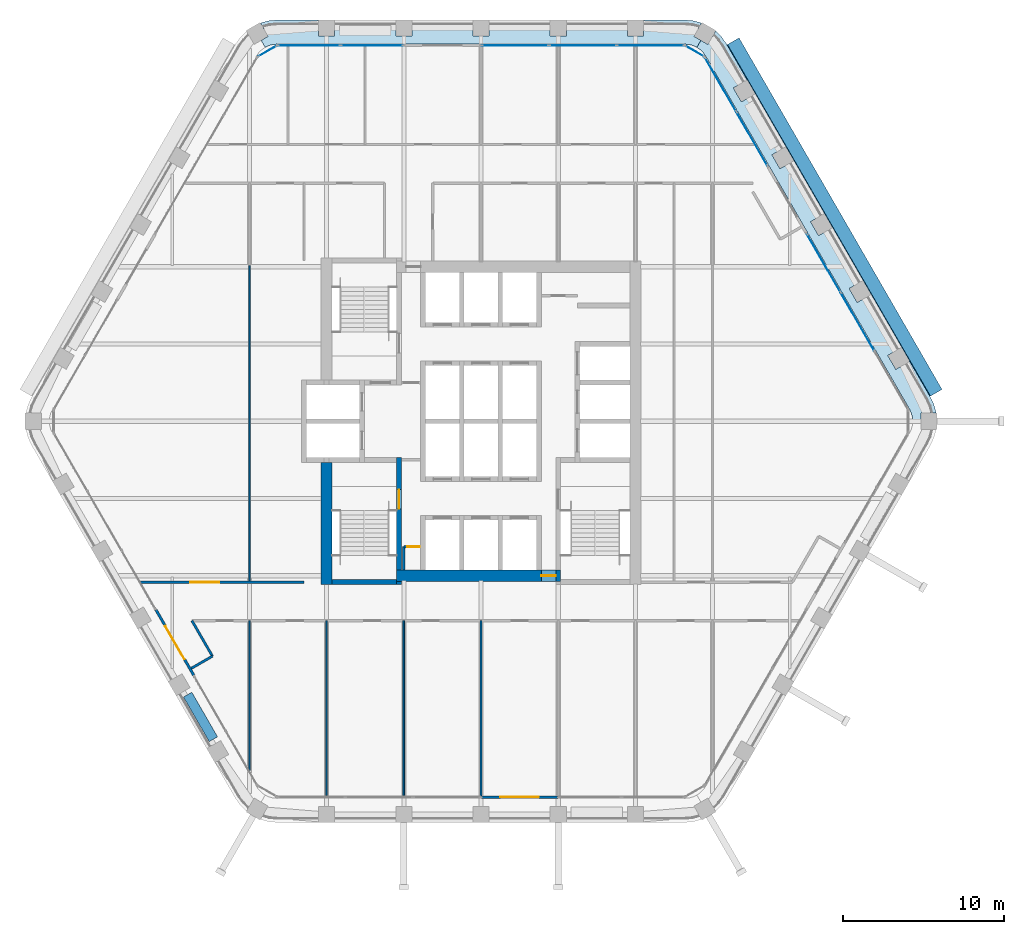
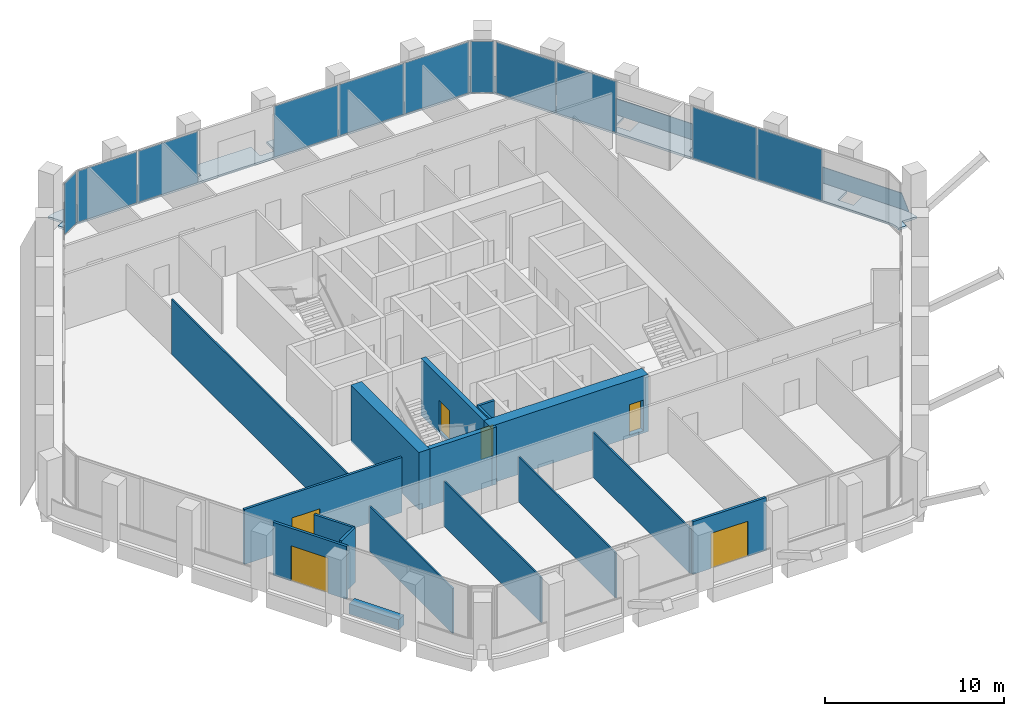
# One storey, part 9 of 16: 18 walls, 12 plates, 6 doors, 2 slabs, 6 openings, 6 elements without a shape of their own.
"""IFC4 building model written with IfcOpenShell, lengths in metres."""

from ifc_helpers import new_model, si_unit, direction, frame, frame_2d, origin, origin_2d, place, context, subcontext, project, spatial, polyline, rectangle, outline, extrude, material, layer, layer_set, type_object, element, fill, aggregate, save


model = new_model("IFC4")

# Units and contexts
model_context = context("Model", 3, precision=1e-05, world=origin(), true_north=direction((0.0, 1.0)))
body_context = subcontext(model_context, "Body", "Model", "MODEL_VIEW")
ifc_project = project(units=[si_unit("LENGTHUNIT", "METRE"), si_unit("AREAUNIT", "SQUARE_METRE"), si_unit("VOLUMEUNIT", "CUBIC_METRE"), si_unit("PLANEANGLEUNIT", "RADIAN"), si_unit("MASSUNIT", "GRAM", prefix="KILO")], contexts=[model_context])

# Site, building, storey
site_placement = place(None, origin())
site = spatial("IfcSite", under=ifc_project, at=site_placement, CompositionType="ELEMENT")
building_placement = place(site_placement, origin())
building = spatial("IfcBuilding", under=site, at=building_placement, Name="Kolab Exchange Tower", CompositionType="ELEMENT")
storey_placement = place(building_placement, frame((0.0, 0.0, 193.39990234375)))
storey = spatial("IfcBuildingStorey", under=building, at=storey_placement, Name="L41", CompositionType="ELEMENT", Elevation=193.39990234375)

# Slabs
ifc_material_1 = material(Name="Concrete C35/45", Category="concrete")
ifc_layer_1 = layer(ifc_material_1, 0.14990234375)
ifc_layer_set_1 = layer_set([ifc_layer_1], Name="Concrete C35/45")
slab_type = type_object("IfcSlabType", Name="LOGGIA SLAB 150", PredefinedType="FLOOR", material=ifc_layer_set_1)
slab_1_placement = place(storey_placement, frame((0.0, 0.0, -0.14990234375)))
element("IfcSlab", 1, at=slab_1_placement, inside=storey, type_object=slab_type, Name="slab/L41/loggia/0-0", PredefinedType="FLOOR", context=body_context, shape_type="SweptSolid", body=[
    extrude(outline(polyline([(13.41796875, 23.240478515625), (13.66796875, 23.673583984375), (13.23486328125, 23.923583984375), (13.713134765625, 24.751708984375), (13.694091796875, 24.760498046875), (13.18896484375, 24.89599609375), (12.66796875, 24.941650390625), (10.10009765625, 24.941650390625), (10.10009765625, 23.941650390625), (9.10009765625, 23.941650390625), (9.10009765625, 24.941650390625), (5.300048828125, 24.941650390625), (5.300048828125, 23.941650390625), (4.300048828125, 23.941650390625), (4.300048828125, 24.941650390625), (0.5, 24.941650390625), (0.5, 23.941650390625), (-0.5, 23.941650390625), (-0.5, 24.941650390625), (-4.300048828125, 24.941650390625), (-4.300048828125, 23.941650390625), (-5.300048828125, 23.941650390625), (-5.300048828125, 24.941650390625), (-9.10009765625, 24.941650390625), (-9.10009765625, 23.941650390625), (-10.10009765625, 23.941650390625), (-10.10009765625, 24.941650390625), (-12.66796875, 24.941650390625), (-13.18896484375, 24.89599609375), (-13.694091796875, 24.760498046875), (-13.713134765625, 24.751708984375), (-13.23486328125, 23.923583984375), (-13.66796875, 23.673583984375), (-13.41796875, 23.240478515625), (-13.180908203125, 23.35107421875), (-12.928466796875, 23.418701171875), (-12.66796875, 23.441650390625), (12.66796875, 23.441650390625), (12.928466796875, 23.418701171875), (13.180908203125, 23.35107421875), (13.41796875, 23.240478515625)])), origin(), (0.0, 0.0, 1.0), 0.14990234375),
])
slab_2_placement = place(storey_placement, frame((0.0, 0.0, -0.14990234375)))
element("IfcSlab", 2, at=slab_2_placement, inside=storey, type_object=slab_type, Name="slab/L41/loggia/1-0", PredefinedType="FLOOR", context=body_context, shape_type="SweptSolid", body=[
    extrude(outline(polyline([(26.8359375, 0.0), (27.3359375, 0.0), (27.3359375, 0.5), (28.292236328125, 0.5), (28.290283203125, 0.52099609375), (28.155029296875, 1.026123046875), (27.93408203125, 1.5), (26.64990234375, 3.723876953125), (25.783935546875, 3.223876953125), (25.283935546875, 4.08984375), (26.14990234375, 4.58984375), (24.25, 7.880859375), (23.384033203125, 7.380859375), (22.884033203125, 8.246826171875), (23.75, 8.746826171875), (21.85009765625, 12.037841796875), (20.98388671875, 11.537841796875), (20.48388671875, 12.40380859375), (21.35009765625, 12.90380859375), (19.449951171875, 16.194580078125), (18.583984375, 15.694580078125), (18.083984375, 16.560791015625), (18.949951171875, 17.060791015625), (17.050048828125, 20.3515625), (16.18408203125, 19.8515625), (15.68408203125, 20.717529296875), (16.550048828125, 21.217529296875), (15.26611328125, 23.441650390625), (14.966064453125, 23.869873046875), (14.59619140625, 24.23974609375), (14.5791015625, 24.251708984375), (14.10107421875, 23.423583984375), (13.66796875, 23.673583984375), (13.41796875, 23.240478515625), (13.632080078125, 23.090576171875), (13.81689453125, 22.90576171875), (13.967041015625, 22.691650390625), (26.635009765625, 0.75), (26.745361328125, 0.512939453125), (26.81298828125, 0.260498046875), (26.8359375, 0.0)])), origin(), (0.0, 0.0, 1.0), 0.14990234375),
])

# Plate
ifc_material_2 = material(Name="Laminated glass, clear", Category="glass")
ifc_layer_2 = layer(ifc_material_2, 0.0400390625)
ifc_layer_set_2 = layer_set([ifc_layer_2], Name="Laminated glass, clear")
plate_type_1 = type_object("IfcPlateType", Name="OUTER SKIN LAMINATED GLASS SHEET 40", PredefinedType="SHEET", material=ifc_layer_set_2)
plate_1_placement = place(storey_placement, frame((16.040283203125, 23.830810546875, -0.68310546875), z_axis=(0.784898656704, 0.453161865271, 0.422585402693), x_axis=(0.499999968995, -0.866025421685, 9.26315e-07)))
element("IfcPlate", 3, at=plate_1_placement, inside=storey, type_object=plate_type_1, Name="Outer skin", PredefinedType="SHEET", context=body_context, shape_type="SweptSolid", body=[
    extrude(outline(polyline([(0.0, 0.0), (25.23592824607872, 0.0), (25.235843279343595, -1.9612922777250177), (0.00012646525258337368, -1.961343862676479), (0.0, 0.0)])), origin(), (0.0, 0.0, -1.0), 0.0400390625),
])

# Curtain wall, plates
ifc_material_3 = material(Name="Aluminium EN AW-6063 T6", Category="aluminium")
curtain_wall_type = type_object("IfcCurtainWallType", Name="UNITISED UPPER MID ZONE CURTAIN WALL", PredefinedType="NOTDEFINED", material=ifc_material_3)
curtain_wall_1_placement = place(storey_placement, origin())
curtain_wall_1 = element("IfcCurtainWall", 4, at=curtain_wall_1_placement, inside=storey, type_object=curtain_wall_type, Name="cw/L41/F1-1", PredefinedType="NOTDEFINED")
ifc_material_4 = material(Name="Clear insulated glazing unit", Category="glass")
ifc_layer_3 = layer(ifc_material_4, 0.028076171875)
ifc_layer_set_3 = layer_set([ifc_layer_3], Name="Clear insulated glazing unit")
plate_type_2 = type_object("IfcPlateType", Name="UNITISED UPPER MID ZONE GLASS PANEL 28", PredefinedType="CURTAIN_PANEL", material=ifc_layer_set_3)
plate_2_placement = place(storey_placement, frame((-10.68603515625, 23.361572265625, 0.06005859375), z_axis=(0.0, 0.0, 1.0), x_axis=(1.0, 0.0, 0.0)))
plate_2 = element("IfcPlate", 5, at=plate_2_placement, type_object=plate_type_2, Name="CW3 panel 1.1", PredefinedType="CURTAIN_PANEL", context=body_context, shape_type="SweptSolid", body=[
    extrude(rectangle(XDim=3.843994140625, YDim=0.028076171875, at=origin_2d()), origin(), (0.0, 0.0, 1.0), 3.47998046875),
])
plate_3_placement = place(storey_placement, frame((-6.781982421875, 23.361572265625, 0.06005859375), z_axis=(0.0, 0.0, 1.0), x_axis=(1.0, 0.0, 0.0)))
plate_3 = element("IfcPlate", 6, at=plate_3_placement, type_object=plate_type_2, Name="CW3 panel 2.1", PredefinedType="CURTAIN_PANEL", context=body_context, shape_type="SweptSolid", body=[
    extrude(rectangle(XDim=3.843994140625, YDim=0.028076171875, at=origin_2d()), origin(), (0.0, 0.0, 1.0), 3.47998046875),
])
aggregate(curtain_wall_1, [plate_2, plate_3])

curtain_wall_2_placement = place(storey_placement, origin())
curtain_wall_2 = element("IfcCurtainWall", 7, at=curtain_wall_2_placement, inside=storey, type_object=curtain_wall_type, Name="cw/L41/F1-2", PredefinedType="NOTDEFINED")
plate_4_placement = place(storey_placement, frame((2.126220703125, 23.361572265625, 0.06005859375), z_axis=(0.0, 0.0, 1.0), x_axis=(1.0, 0.0, 0.0)))
plate_4 = element("IfcPlate", 8, at=plate_4_placement, type_object=plate_type_2, Name="CW3 panel 1.1", PredefinedType="CURTAIN_PANEL", context=body_context, shape_type="SweptSolid", body=[
    extrude(rectangle(XDim=4.132568359375, YDim=0.028076171875, at=origin_2d()), origin(), (0.0, 0.0, 1.0), 3.47998046875),
])
plate_5_placement = place(storey_placement, frame((6.333984375, 23.361572265625, 0.06005859375), z_axis=(0.0, 0.0, 1.0), x_axis=(1.0, 0.0, 0.0)))
plate_5 = element("IfcPlate", 9, at=plate_5_placement, type_object=plate_type_2, Name="CW3 panel 2.1", PredefinedType="CURTAIN_PANEL", context=body_context, shape_type="SweptSolid", body=[
    extrude(rectangle(XDim=4.16259765625, YDim=0.028076171875, at=origin_2d()), origin(), (0.0, 0.0, 1.0), 3.47998046875),
])
plate_6_placement = place(storey_placement, frame((10.54150390625, 23.361572265625, 0.06005859375), z_axis=(0.0, 0.0, 1.0), x_axis=(1.0, 0.0, 0.0)))
plate_6 = element("IfcPlate", 10, at=plate_6_placement, type_object=plate_type_2, Name="CW3 panel 3.1", PredefinedType="CURTAIN_PANEL", context=body_context, shape_type="SweptSolid", body=[
    extrude(rectangle(XDim=4.132568359375, YDim=0.028076171875, at=origin_2d()), origin(), (0.0, 0.0, 1.0), 3.47998046875),
])
aggregate(curtain_wall_2, [plate_4, plate_5, plate_6])

curtain_wall_3_placement = place(storey_placement, origin())
curtain_wall_3 = element("IfcCurtainWall", 11, at=curtain_wall_3_placement, inside=storey, type_object=curtain_wall_type, Name="cw/L41/F2-1", PredefinedType="NOTDEFINED")
plate_7_placement = place(storey_placement, frame((14.888671875, 20.93505859375, 0.06005859375), z_axis=(0.0, 0.0, 1.0), x_axis=(0.500000031681, -0.866025385493, 0.0)))
plate_7 = element("IfcPlate", 12, at=plate_7_placement, type_object=plate_type_2, Name="CW3 panel 1.1", PredefinedType="CURTAIN_PANEL", context=body_context, shape_type="SweptSolid", body=[
    extrude(rectangle(XDim=3.843994140625, YDim=0.028076171875, at=origin_2d()), origin(), (0.0, 0.0, 1.0), 3.47998046875),
])
plate_8_placement = place(storey_placement, frame((16.840576171875, 17.55419921875, 0.06005859375), z_axis=(0.0, 0.0, 1.0), x_axis=(0.500000031681, -0.866025385493, 0.0)))
plate_8 = element("IfcPlate", 13, at=plate_8_placement, type_object=plate_type_2, Name="CW3 panel 2.1", PredefinedType="CURTAIN_PANEL", context=body_context, shape_type="SweptSolid", body=[
    extrude(rectangle(XDim=3.843994140625, YDim=0.028076171875, at=origin_2d()), origin(), (0.0, 0.0, 1.0), 3.47998046875),
])
aggregate(curtain_wall_3, [plate_7, plate_8])

curtain_wall_4_placement = place(storey_placement, origin())
curtain_wall_4 = element("IfcCurtainWall", 14, at=curtain_wall_4_placement, inside=storey, type_object=curtain_wall_type, Name="cw/L41/F2-2", PredefinedType="NOTDEFINED")
plate_9_placement = place(storey_placement, frame((21.294921875, 9.83935546875, 0.06005859375), z_axis=(0.0, 0.0, 1.0), x_axis=(0.499999958358, -0.866025427826, 0.0)))
plate_9 = element("IfcPlate", 15, at=plate_9_placement, type_object=plate_type_2, Name="CW3 panel 1.1", PredefinedType="CURTAIN_PANEL", context=body_context, shape_type="SweptSolid", body=[
    extrude(rectangle(XDim=4.132568359375, YDim=0.028076171875, at=origin_2d()), origin(), (0.0, 0.0, 1.0), 3.47998046875),
])
plate_10_placement = place(storey_placement, frame((23.398681640625, 6.1953125, 0.06005859375), z_axis=(0.0, 0.0, 1.0), x_axis=(0.499999958358, -0.866025427826, 0.0)))
plate_10 = element("IfcPlate", 16, at=plate_10_placement, type_object=plate_type_2, Name="CW3 panel 2.1", PredefinedType="CURTAIN_PANEL", context=body_context, shape_type="SweptSolid", body=[
    extrude(rectangle(XDim=4.16259765625, YDim=0.028076171875, at=origin_2d()), origin(), (0.0, 0.0, 1.0), 3.47998046875),
])
aggregate(curtain_wall_4, [plate_9, plate_10])

# Curtain wall, plate
curtain_wall_5_placement = place(storey_placement, origin())
curtain_wall_5 = element("IfcCurtainWall", 17, at=curtain_wall_5_placement, inside=storey, type_object=curtain_wall_type, Name="cw/L41/F1F2-corner", PredefinedType="NOTDEFINED")
plate_11_placement = place(storey_placement, frame((13.28271484375, 23.006591796875, 0.06005859375), z_axis=(0.0, 0.0, 1.0), x_axis=(0.866025390869, -0.50000002237, 0.0)))
plate_11 = element("IfcPlate", 18, at=plate_11_placement, type_object=plate_type_2, Name="CW3 panel 1.1", PredefinedType="CURTAIN_PANEL", context=body_context, shape_type="SweptSolid", body=[
    extrude(rectangle(XDim=1.300048828125, YDim=0.028076171875, at=origin_2d()), origin(), (0.0, 0.0, 1.0), 3.47998046875),
])
aggregate(curtain_wall_5, [plate_11])

curtain_wall_6_placement = place(storey_placement, origin())
curtain_wall_6 = element("IfcCurtainWall", 19, at=curtain_wall_6_placement, inside=storey, type_object=curtain_wall_type, Name="cw/L41/F6F1-corner", PredefinedType="NOTDEFINED")
plate_12_placement = place(storey_placement, frame((-13.28271484375, 23.006591796875, 0.06005859375), z_axis=(0.0, 0.0, 1.0), x_axis=(0.866025390869, 0.50000002237, 0.0)))
plate_12 = element("IfcPlate", 20, at=plate_12_placement, type_object=plate_type_2, Name="CW3 panel 1.1", PredefinedType="CURTAIN_PANEL", context=body_context, shape_type="SweptSolid", body=[
    extrude(rectangle(XDim=1.300048828125, YDim=0.028076171875, at=origin_2d()), origin(), (0.0, 0.0, 1.0), 3.47998046875),
])
aggregate(curtain_wall_6, [plate_12])

# Wall, opening, door
ifc_material_5 = material(Name="Concrete C60/75", Category="concrete")
ifc_layer_4 = layer(ifc_material_5, 0.699951171875)
ifc_layer_set_4 = layer_set([ifc_layer_4], Name="Concrete C60/75")
wall_type_1 = type_object("IfcWallType", Name="CORE WALL 700 C60/75", PredefinedType="SHEAR", material=ifc_layer_set_4)
wall_1_placement = place(storey_placement, frame((-5.25, -9.60009765625, -0.14990234375), z_axis=(0.0, 0.0, 1.0), x_axis=(1.0, 0.0, 0.0)))
wall_1 = element("IfcWall", 21, at=wall_1_placement, inside=storey, type_object=wall_type_1, Name="wall/L41/core/002", PredefinedType="SHEAR", context=body_context, shape_type="SweptSolid", body=[
    extrude(rectangle(XDim=10.199951171875, YDim=0.699951171875, at=frame_2d((5.10009765625, 0.0))), origin(), (0.0, 0.0, 1.0), 3.89990234375),
])
opening_1_placement = place(wall_1_placement, frame((9.0, 0.0, 0.14990234375)))
opening_1 = element("IfcOpeningElement", 22, at=opening_1_placement, cuts=wall_1, Name="Opening D6-287", PredefinedType="OPENING", context=body_context, shape_type="SweptSolid", body=[
    extrude(rectangle(XDim=0.89990234375, YDim=2.10009765625, at=frame_2d((0.449951171875, 1.050048828125))), frame((0.0, 0.35986328125, 0.0), z_axis=(0.0, -1.0, 0.0), x_axis=(1.0, 0.0, 0.0)), (0.0, 0.0, 1.0), 0.719970703125),
])
ifc_material_6 = material(Name="Steel S235", Category="steel")
door_type_1 = type_object("IfcDoorType", Name="CORE DOOR 900 EI 120", OperationType="SINGLE_SWING_LEFT", PredefinedType="DOOR", material=ifc_material_6)
door_1_placement = place(opening_1_placement, origin())
door_1 = element("IfcDoor", 23, at=door_1_placement, inside=storey, type_object=door_type_1, Name="Core lobby door", OperationType="SINGLE_SWING_LEFT", OverallHeight=2.10009765625, OverallWidth=0.89990234375, PredefinedType="DOOR", context=body_context, shape_type="SweptSolid", body=[
    extrude(rectangle(XDim=0.89990234375, YDim=2.10009765625, at=frame_2d((0.449951171875, 1.050048828125))), frame((0.0, 0.02490234375, 0.0), z_axis=(0.0, -1.0, 0.0), x_axis=(1.0, 0.0, 0.0)), (0.0, 0.0, 1.0), 0.050048828125),
])
fill(opening_1, door_1)

# Wall
wall_2_placement = place(storey_placement, frame((-9.60009765625, -10.14990234375, -0.14990234375), z_axis=(0.0, 0.0, 1.0), x_axis=(0.0, 1.0, 0.0)))
element("IfcWall", 24, at=wall_2_placement, inside=storey, type_object=wall_type_1, Name="wall/L41/core/034", PredefinedType="SHEAR", context=body_context, shape_type="SweptSolid", body=[
    extrude(rectangle(XDim=7.599853515625, YDim=0.699951171875, at=frame_2d((3.7998046875, 0.0))), origin(), (0.0, 0.0, 1.0), 3.89990234375),
])

# Wall, opening, door
ifc_layer_5 = layer(ifc_material_3, 0.159912109375)
ifc_layer_set_5 = layer_set([ifc_layer_5], Name="Aluminium EN AW-6063 T6")
wall_type_2 = type_object("IfcWallType", Name="DOOR SURROUND WALL 160 ALUMINIUM FRAMED", PredefinedType="PARTITIONING", material=ifc_layer_set_5)
wall_3_placement = place(storey_placement, frame((4.77001953125, -23.361572265625, 0.0), z_axis=(0.0, 0.0, 1.0), x_axis=(-1.0, 0.0, 0.0)))
wall_3 = element("IfcWall", 25, at=wall_3_placement, inside=storey, type_object=wall_type_2, Name="Door surround wall", PredefinedType="PARTITIONING", context=body_context, shape_type="SweptSolid", body=[
    extrude(rectangle(XDim=4.739990234375, YDim=0.159912109375, at=frame_2d((2.3701171875, 0.0))), origin(), (0.0, 0.0, 1.0), 3.60009765625),
])
opening_2_placement = place(wall_3_placement, frame((1.169921875, 0.0, 0.0)))
opening_2 = element("IfcOpeningElement", 26, at=opening_2_placement, cuts=wall_3, Name="Opening GD1-073", PredefinedType="OPENING", context=body_context, shape_type="SweptSolid", body=[
    extrude(rectangle(XDim=2.39990234375, YDim=2.39990234375, at=frame_2d((1.199951171875, 1.199951171875))), frame((0.0, 0.08984375, 0.0), z_axis=(0.0, -1.0, 0.0), x_axis=(1.0, 0.0, 0.0)), (0.0, 0.0, 1.0), 0.179931640625),
])
door_type_2 = type_object("IfcDoorType", Name="LOGGIA SLIDING GLASS DOOR 2400 X 2400", OperationType="DOUBLE_DOOR_SINGLE_SWING", PredefinedType="DOOR", material=ifc_material_3)
door_2_placement = place(opening_2_placement, origin())
door_2 = element("IfcDoor", 27, at=door_2_placement, inside=storey, type_object=door_type_2, Name="Loggia door", OperationType="DOUBLE_DOOR_SLIDING", OverallHeight=2.39990234375, OverallWidth=2.39990234375, PredefinedType="DOOR", context=body_context, shape_type="SweptSolid", body=[
    extrude(rectangle(XDim=2.39990234375, YDim=2.39990234375, at=frame_2d((1.199951171875, 1.199951171875))), frame((0.0, 0.02490234375, 0.0), z_axis=(0.0, -1.0, 0.0), x_axis=(1.0, 0.0, 0.0)), (0.0, 0.0, 1.0), 0.050048828125),
])
fill(opening_2, door_2)

wall_4_placement = place(storey_placement, frame((-17.8466796875, -15.811767578125, 0.0), z_axis=(0.0, 0.0, 1.0), x_axis=(-0.5000167099, 0.866015756104, 0.0)))
wall_4 = element("IfcWall", 28, at=wall_4_placement, inside=storey, type_object=wall_type_2, Name="Door surround wall", PredefinedType="PARTITIONING", context=body_context, shape_type="SweptSolid", body=[
    extrude(rectangle(XDim=4.739990234375, YDim=0.159912109375, at=frame_2d((2.3701171875, 0.0))), origin(), (0.0, 0.0, 1.0), 3.60009765625),
])
opening_3_placement = place(wall_4_placement, frame((1.169921875, 0.0, 0.0)))
opening_3 = element("IfcOpeningElement", 29, at=opening_3_placement, cuts=wall_4, Name="Opening GD1-074", PredefinedType="OPENING", context=body_context, shape_type="SweptSolid", body=[
    extrude(rectangle(XDim=2.39990234375, YDim=2.39990234375, at=frame_2d((1.199951171875, 1.199951171875))), frame((0.0, 0.08984375, 0.0), z_axis=(0.0, -1.0, 0.0), x_axis=(1.0, 0.0, 0.0)), (0.0, 0.0, 1.0), 0.179931640625),
])
door_3_placement = place(opening_3_placement, origin())
door_3 = element("IfcDoor", 30, at=door_3_placement, inside=storey, type_object=door_type_2, Name="Loggia door", OperationType="DOUBLE_DOOR_SLIDING", OverallHeight=2.39990234375, OverallWidth=2.39990234375, PredefinedType="DOOR", context=body_context, shape_type="SweptSolid", body=[
    extrude(rectangle(XDim=2.39990234375, YDim=2.39990234375, at=frame_2d((1.199951171875, 1.199951171875))), frame((0.0, 0.02490234375, 0.0), z_axis=(0.0, -1.0, 0.0), x_axis=(1.0, 0.0, 0.0)), (0.0, 0.0, 1.0), 0.050048828125),
])
fill(opening_3, door_3)

# Walls
ifc_material_7 = material(Name="Gypsum board", Category="gypsum")
ifc_layer_6 = layer(ifc_material_7, 0.10009765625)
ifc_layer_set_6 = layer_set([ifc_layer_6], Name="Gypsum board")
wall_type_3 = type_object("IfcWallType", Name="PARTITION 100", PredefinedType="PARTITIONING", material=ifc_layer_set_6)
wall_5_placement = place(storey_placement, frame((0.0, -23.281494140625, 0.0), z_axis=(0.0, 0.0, 1.0), x_axis=(0.0, 1.0, 0.0)))
element("IfcWall", 31, at=wall_5_placement, inside=storey, type_object=wall_type_3, Name="Partition 009", PredefinedType="PARTITIONING", context=body_context, shape_type="SweptSolid", body=[
    extrude(rectangle(XDim=10.881591796875, YDim=0.10009765625, at=frame_2d((5.44091796875, 0.0))), origin(), (0.0, 0.0, 1.0), 3.066162109375),
])
for number, where, z_axis, x_axis, name in (
    (32, (-4.800048828125, -23.271484375, 0.0), (0.0, 0.0, 1.0), (0.0, 1.0, 0.0), "Partition 013"),
    (33, (-9.60009765625, -23.271484375, 0.0), (0.0, 0.0, 1.0), (0.0, 1.0, 0.0), "Partition 017"),
):
    element("IfcWall", number, at=place(storey_placement, frame(where, z_axis=z_axis, x_axis=x_axis)), inside=storey, type_object=wall_type_3, Name=name, PredefinedType="PARTITIONING", context=body_context, shape_type="SweptSolid", body=[
        extrude(rectangle(XDim=10.87158203125, YDim=0.10009765625, at=frame_2d((5.435791015625, 0.0))), origin(), (0.0, 0.0, 1.0), 3.066162109375),
    ])
wall_6_placement = place(storey_placement, frame((-14.39990234375, -21.701416015625, 0.0), z_axis=(0.0, 0.0, 1.0), x_axis=(0.0, 1.0, 0.0)))
element("IfcWall", 34, at=wall_6_placement, inside=storey, type_object=wall_type_3, Name="Partition 020", PredefinedType="PARTITIONING", context=body_context, shape_type="SweptSolid", body=[
    extrude(rectangle(XDim=9.301513671875, YDim=0.10009765625, at=frame_2d((4.65087890625, 0.0))), origin(), (0.0, 0.0, 1.0), 3.066162109375),
])
wall_7_placement = place(storey_placement, frame((-14.39990234375, -10.0, 0.0), z_axis=(0.0, 0.0, 1.0), x_axis=(0.0, 1.0, 0.0)))
element("IfcWall", 35, at=wall_7_placement, inside=storey, type_object=wall_type_3, Name="Partition 021", PredefinedType="PARTITIONING", context=body_context, shape_type="SweptSolid", body=[
    extrude(rectangle(XDim=19.693603515625, YDim=0.10009765625, at=frame_2d((9.8466796875, 0.0))), origin(), (0.0, 0.0, 1.0), 3.75),
])
ifc_layer_7 = layer(ifc_material_7, 0.14990234375)
ifc_layer_set_7 = layer_set([ifc_layer_7], Name="Gypsum board")
wall_type_4 = type_object("IfcWallType", Name="PARTITION 150 FIRE-RATED", PredefinedType="PARTITIONING", material=ifc_layer_set_7)
wall_8_placement = place(storey_placement, frame((-4.800048828125, -9.25, 0.0), z_axis=(0.0, 0.0, 1.0), x_axis=(0.0, 1.0, 0.0)))
element("IfcWall", 36, at=wall_8_placement, inside=storey, type_object=wall_type_4, Name="Partition 014", PredefinedType="PARTITIONING", context=body_context, shape_type="SweptSolid", body=[
    extrude(rectangle(XDim=1.449951171875, YDim=0.14990234375, at=frame_2d((0.72509765625, 0.0))), origin(), (0.0, 0.0, 1.0), 3.75),
])
wall_9_placement = place(storey_placement, frame((-17.968994140625, -12.39990234375, 0.0), z_axis=(0.0, 0.0, 1.0), x_axis=(0.499996383721, -0.866027491634, 0.0)))
element("IfcWall", 37, at=wall_9_placement, inside=storey, type_object=wall_type_4, Name="Partition 022", PredefinedType="PARTITIONING", context=body_context, shape_type="SweptSolid", body=[
    extrude(rectangle(XDim=2.5458984375, YDim=0.14990234375, at=frame_2d((1.27294921875, 0.0))), origin(), (0.0, 0.0, 1.0), 3.75),
])
wall_10_placement = place(storey_placement, frame((-18.012451171875, -15.36474609375, 0.0), z_axis=(0.0, 0.0, 1.0), x_axis=(0.866030456496, 0.499991248344, 0.0)))
element("IfcWall", 38, at=wall_10_placement, inside=storey, type_object=wall_type_4, Name="Partition 026", PredefinedType="PARTITIONING", context=body_context, shape_type="SweptSolid", body=[
    extrude(rectangle(XDim=1.52001953125, YDim=0.14990234375, at=frame_2d((0.760009765625, 0.0))), origin(), (0.0, 0.0, 1.0), 3.75),
])

# Wall, opening, door
wall_11_placement = place(storey_placement, frame((-21.156005859375, -10.0, 0.0), z_axis=(0.0, 0.0, 1.0), x_axis=(1.0, 0.0, 0.0)))
wall_11 = element("IfcWall", 39, at=wall_11_placement, inside=storey, type_object=wall_type_4, Name="Partition 029", PredefinedType="PARTITIONING", context=body_context, shape_type="SweptSolid", body=[
    extrude(rectangle(XDim=10.156005859375, YDim=0.14990234375, at=frame_2d((5.078125, 0.0))), origin(), (0.0, 0.0, 1.0), 3.75),
])
opening_4_placement = place(wall_11_placement, frame((3.082763671875, 0.0, 0.0)))
opening_4 = element("IfcOpeningElement", 40, at=opening_4_placement, cuts=wall_11, Name="Opening D2-047", PredefinedType="OPENING", context=body_context, shape_type="SweptSolid", body=[
    extrude(rectangle(XDim=1.800048828125, YDim=2.10009765625, at=frame_2d((0.89990234375, 1.050048828125))), frame((0.0, 0.0849609375, 0.0), z_axis=(0.0, -1.0, 0.0), x_axis=(1.0, 0.0, 0.0)), (0.0, 0.0, 1.0), 0.169921875),
])
door_type_3 = type_object("IfcDoorType", Name="DOUBLE DOOR 1800 FD60", OperationType="DOUBLE_DOOR_SINGLE_SWING", PredefinedType="DOOR", material=ifc_material_6)
door_4_placement = place(opening_4_placement, origin())
door_4 = element("IfcDoor", 41, at=door_4_placement, inside=storey, type_object=door_type_3, Name="Door L41-051", OperationType="SINGLE_SWING_RIGHT", OverallHeight=2.10009765625, OverallWidth=1.800048828125, PredefinedType="DOOR", context=body_context, shape_type="SweptSolid", body=[
    extrude(rectangle(XDim=1.800048828125, YDim=2.10009765625, at=frame_2d((0.89990234375, 1.050048828125))), frame((0.0, 0.02490234375, 0.0), z_axis=(0.0, -1.0, 0.0), x_axis=(1.0, 0.0, 0.0)), (0.0, 0.0, 1.0), 0.050048828125),
])
fill(opening_4, door_4)

wall_12_placement = place(storey_placement, frame((-4.800048828125, -7.800048828125, 0.0), z_axis=(0.0, 0.0, 1.0), x_axis=(1.0, 0.0, 0.0)))
wall_12 = element("IfcWall", 42, at=wall_12_placement, inside=storey, type_object=wall_type_4, Name="Partition 031", PredefinedType="PARTITIONING", context=body_context, shape_type="SweptSolid", body=[
    extrude(rectangle(XDim=1.050048828125, YDim=0.14990234375, at=frame_2d((0.52490234375, 0.0))), origin(), (0.0, 0.0, 1.0), 3.75),
])
opening_5_placement = place(wall_12_placement, frame((0.199951171875, 0.0, 0.0)))
opening_5 = element("IfcOpeningElement", 43, at=opening_5_placement, cuts=wall_12, Name="Opening D7-031", PredefinedType="OPENING", context=body_context, shape_type="SweptSolid", body=[
    extrude(rectangle(XDim=0.800048828125, YDim=2.10009765625, at=frame_2d((0.39990234375, 1.050048828125))), frame((0.0, 0.0849609375, 0.0), z_axis=(0.0, -1.0, 0.0), x_axis=(1.0, 0.0, 0.0)), (0.0, 0.0, 1.0), 0.169921875),
])
door_type_4 = type_object("IfcDoorType", Name="FLUSH DOOR 800 FD60", OperationType="SINGLE_SWING_LEFT", PredefinedType="DOOR", material=ifc_material_6)
door_5_placement = place(opening_5_placement, frame((0.800048828125, 0.0, 0.0), z_axis=(0.0, 0.0, 1.0), x_axis=(-1.0, 0.0, 0.0)))
door_5 = element("IfcDoor", 44, at=door_5_placement, inside=storey, type_object=door_type_4, Name="Door L41-024", OperationType="SINGLE_SWING_RIGHT", OverallHeight=2.10009765625, OverallWidth=0.800048828125, PredefinedType="DOOR", context=body_context, shape_type="SweptSolid", body=[
    extrude(rectangle(XDim=0.800048828125, YDim=2.10009765625, at=frame_2d((0.39990234375, 1.050048828125))), frame((0.0, 0.02490234375, 0.0), z_axis=(0.0, -1.0, 0.0), x_axis=(1.0, 0.0, 0.0)), (0.0, 0.0, 1.0), 0.050048828125),
])
fill(opening_5, door_5)

# Walls
ifc_material_8 = material(Name="Granite facing", Category="masonry")
ifc_layer_8 = layer(ifc_material_8, 0.0400390625)
ifc_material_9 = material(Name="Concrete C40/50 precast", Category="concrete")
ifc_layer_9 = layer(ifc_material_9, 0.56005859375)
ifc_layer_set_8 = layer_set([ifc_layer_8, ifc_layer_9], Name="Concrete C40/50 precast")
wall_type_5 = type_object("IfcWallType", Name="PLANTER BOX 600 X 700 SOIL DEPTH 550", PredefinedType="USERDEFINED", material=ifc_layer_set_8)
wall_13_placement = place(storey_placement, frame((-16.636962890625, -19.766845703125, 0.0), z_axis=(0.0, 0.0, 1.0), x_axis=(-0.500028443584, 0.866008981251, 0.0)))
element("IfcWall", 45, at=wall_13_placement, inside=storey, type_object=wall_type_5, Name="Planter", ObjectType="PLANTER", PredefinedType="USERDEFINED", context=body_context, shape_type="SweptSolid", body=[
    extrude(rectangle(XDim=3.199951171875, YDim=0.60009765625, at=frame_2d((1.60009765625, 0.0))), origin(), (0.0, 0.0, 1.0), 0.7001953125),
])
ifc_material_10 = material(Name="Concrete C50/60", Category="concrete")
ifc_layer_10 = layer(ifc_material_10, 0.300048828125)
ifc_layer_set_9 = layer_set([ifc_layer_10], Name="Concrete C50/60")
wall_type_6 = type_object("IfcWallType", Name="STAIR ENCLOSURE WALL 300 C50/60", PredefinedType="STANDARD", material=ifc_layer_set_9)
wall_14_placement = place(storey_placement, frame((-9.25, -10.0, -0.14990234375), z_axis=(0.0, 0.0, 1.0), x_axis=(1.0, 0.0, 0.0)))
element("IfcWall", 46, at=wall_14_placement, inside=storey, type_object=wall_type_6, Name="wall/L41/core/000", PredefinedType="STANDARD", context=body_context, shape_type="SweptSolid", body=[
    extrude(rectangle(XDim=4.0, YDim=0.300048828125, at=frame_2d((2.0, 0.0))), origin(), (0.0, 0.0, 1.0), 3.89990234375),
])
wall_15_placement = place(storey_placement, frame((-5.10009765625, -10.14990234375, -0.14990234375), z_axis=(0.0, 0.0, 1.0), x_axis=(0.0, 1.0, 0.0)))
element("IfcWall", 47, at=wall_15_placement, inside=storey, type_object=wall_type_6, Name="wall/L41/core/039", PredefinedType="STANDARD", context=body_context, shape_type="SweptSolid", body=[
    extrude(rectangle(XDim=0.199951171875, YDim=0.300048828125, at=frame_2d((0.10009765625, 0.0))), origin(), (0.0, 0.0, 1.0), 3.89990234375),
])

# Wall, opening, door
wall_16_placement = place(storey_placement, frame((-5.10009765625, -9.25, -0.14990234375), z_axis=(0.0, 0.0, 1.0), x_axis=(0.0, 1.0, 0.0)))
wall_16 = element("IfcWall", 48, at=wall_16_placement, inside=storey, type_object=wall_type_6, Name="wall/L41/core/040", PredefinedType="STANDARD", context=body_context, shape_type="SweptSolid", body=[
    extrude(rectangle(XDim=7.0, YDim=0.300048828125, at=frame_2d((3.5, 0.0))), origin(), (0.0, 0.0, 1.0), 3.89990234375),
])
opening_6_placement = place(wall_16_placement, frame((3.800048828125, 0.0, 0.14990234375)))
opening_6 = element("IfcOpeningElement", 49, at=opening_6_placement, cuts=wall_16, Name="Opening D4-068", PredefinedType="OPENING", context=body_context, shape_type="SweptSolid", body=[
    extrude(rectangle(XDim=1.199951171875, YDim=2.10009765625, at=frame_2d((0.60009765625, 1.050048828125))), frame((0.0, 0.16015625, 0.0), z_axis=(0.0, -1.0, 0.0), x_axis=(1.0, 0.0, 0.0)), (0.0, 0.0, 1.0), 0.320068359375),
])
door_type_5 = type_object("IfcDoorType", Name="STAIR DOOR 1200 EI 120", OperationType="SINGLE_SWING_LEFT", PredefinedType="DOOR", material=ifc_material_6)
door_6_placement = place(opening_6_placement, origin())
door_6 = element("IfcDoor", 50, at=door_6_placement, inside=storey, type_object=door_type_5, Name="Stair 3 door", OperationType="SINGLE_SWING_RIGHT", OverallHeight=2.10009765625, OverallWidth=1.199951171875, PredefinedType="DOOR", context=body_context, shape_type="SweptSolid", body=[
    extrude(rectangle(XDim=1.199951171875, YDim=2.10009765625, at=frame_2d((0.60009765625, 1.050048828125))), frame((0.0, 0.02490234375, 0.0), z_axis=(0.0, -1.0, 0.0), x_axis=(1.0, 0.0, 0.0)), (0.0, 0.0, 1.0), 0.050048828125),
])
fill(opening_6, door_6)

save(model, "model.ifc")
